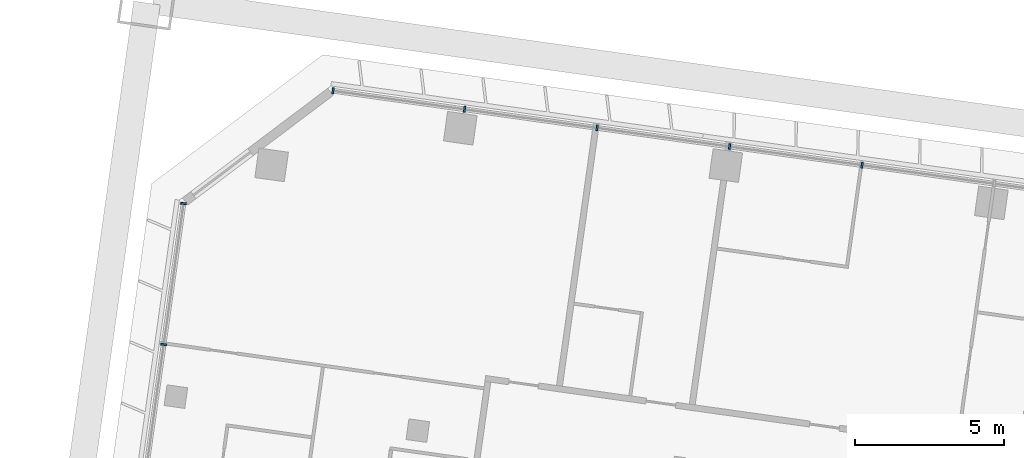
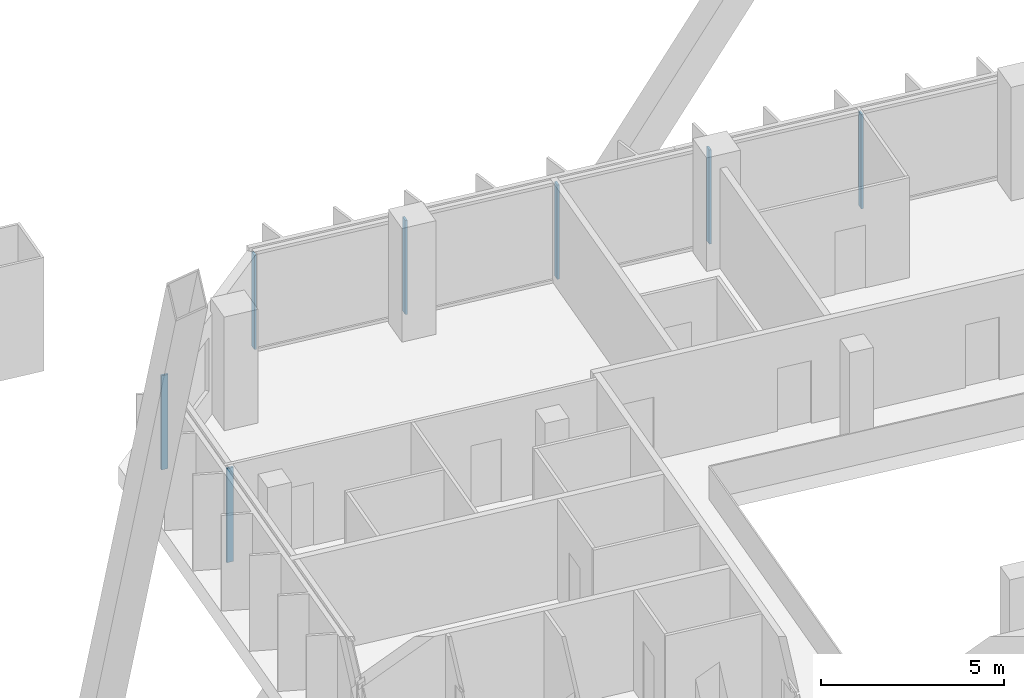
# One storey, part 8 of 49: 7 members, 2 elements without a shape of their own.
"""IFC4 building model written with IfcOpenShell, lengths in metres."""

from ifc_helpers import new_model, si_unit, direction, frame, origin, origin_2d, place, context, subcontext, project, spatial, rectangle, extrude, material, material_profile, profile_set, type_object, element, aggregate, save


model = new_model("IFC4")

# Units and contexts
model_context = context("Model", 3, precision=1e-05, world=origin(), true_north=direction((0.0, 1.0)))
body_context = subcontext(model_context, "Body", "Model", "MODEL_VIEW")
ifc_project = project(units=[si_unit("LENGTHUNIT", "METRE"), si_unit("AREAUNIT", "SQUARE_METRE"), si_unit("VOLUMEUNIT", "CUBIC_METRE"), si_unit("PLANEANGLEUNIT", "RADIAN"), si_unit("MASSUNIT", "GRAM", prefix="KILO")], contexts=[model_context])

# Site, building, storey
site_placement = place(None, origin())
site = spatial("IfcSite", under=ifc_project, at=site_placement, CompositionType="ELEMENT")
building_placement = place(site_placement, origin())
building = spatial("IfcBuilding", under=site, at=building_placement, Name="Mirante Cascada Hotel Towers", CompositionType="ELEMENT")
storey_placement = place(building_placement, frame((0.0, 0.0, 66.1)))
storey = spatial("IfcBuildingStorey", under=building, at=storey_placement, Name="L13", CompositionType="ELEMENT", Elevation=66.1)

# Curtain wall, members
ifc_material_1 = material(Name="Aluminium mullion and transom frame with clear laminated glass", Category="aluminium")
curtain_wall_type_1 = type_object("IfcCurtainWallType", Name="Ribbon curtain wall ECW1", PredefinedType="NOTDEFINED", material=ifc_material_1)
curtain_wall_1_placement = place(storey_placement, origin())
curtain_wall_1 = element("IfcCurtainWall", 1, at=curtain_wall_1_placement, inside=storey, type_object=curtain_wall_type_1, Name="Front ribbon wall T1 L13", PredefinedType="NOTDEFINED")
ifc_material_2 = material(Name="Anodised aluminium extrusion", Category="aluminium")
ifc_material_profile_1 = material_profile(ifc_material_2, rectangle(XDim=0.2, YDim=0.065, at=origin_2d()), Name="ECW1 MULLION 65x200")
ifc_profile_set_1 = profile_set([ifc_material_profile_1], Name="Anodised aluminium extrusion")
member_type_1 = type_object("IfcMemberType", Name="ECW1 mullion 65x200", PredefinedType="MULLION", material=ifc_profile_set_1)
member_1_placement = place(storey_placement, frame((-94.126, 26.0476, 0.1), z_axis=(0.0, 0.0, 1.0), x_axis=(0.1391731, 0.9902681, 0.0)))
member_1 = element("IfcMember", 2, at=member_1_placement, type_object=member_type_1, Name="ECW1 mullion 1", PredefinedType="MULLION", context=body_context, shape_type="SweptSolid", body=[
    extrude(rectangle(XDim=0.2, YDim=0.065, at=origin_2d()), origin(), (0.0, 0.0, 1.0), 3.15),
])
member_2_placement = place(storey_placement, frame((-89.7107, 25.427, 0.1), z_axis=(0.0, 0.0, 1.0), x_axis=(0.1391731, 0.9902681, 0.0)))
member_2 = element("IfcMember", 3, at=member_2_placement, type_object=member_type_1, Name="ECW1 mullion 2", PredefinedType="MULLION", context=body_context, shape_type="SweptSolid", body=[
    extrude(rectangle(XDim=0.2, YDim=0.065, at=origin_2d()), origin(), (0.0, 0.0, 1.0), 3.15),
])
member_3_placement = place(storey_placement, frame((-85.2633, 24.802, 0.1), z_axis=(0.0, 0.0, 1.0), x_axis=(0.1391731, 0.9902681, 0.0)))
member_3 = element("IfcMember", 4, at=member_3_placement, type_object=member_type_1, Name="ECW1 mullion 3", PredefinedType="MULLION", context=body_context, shape_type="SweptSolid", body=[
    extrude(rectangle(XDim=0.2, YDim=0.065, at=origin_2d()), origin(), (0.0, 0.0, 1.0), 3.15),
])
member_4_placement = place(storey_placement, frame((-80.8159, 24.177, 0.1), z_axis=(0.0, 0.0, 1.0), x_axis=(0.1391731, 0.9902681, 0.0)))
member_4 = element("IfcMember", 5, at=member_4_placement, type_object=member_type_1, Name="ECW1 mullion 4", PredefinedType="MULLION", context=body_context, shape_type="SweptSolid", body=[
    extrude(rectangle(XDim=0.2, YDim=0.065, at=origin_2d()), origin(), (0.0, 0.0, 1.0), 3.15),
])
member_5_placement = place(storey_placement, frame((-76.3685, 23.5519, 0.1), z_axis=(0.0, 0.0, 1.0), x_axis=(0.1391731, 0.9902681, 0.0)))
member_5 = element("IfcMember", 6, at=member_5_placement, type_object=member_type_1, Name="ECW1 mullion 5", PredefinedType="MULLION", context=body_context, shape_type="SweptSolid", body=[
    extrude(rectangle(XDim=0.2, YDim=0.065, at=origin_2d()), origin(), (0.0, 0.0, 1.0), 3.15),
])
aggregate(curtain_wall_1, [member_1, member_2, member_3, member_4, member_5])

ifc_material_3 = material(Name="Aluminium mullion and transom frame with clear laminated glass", Category="aluminium")
curtain_wall_type_2 = type_object("IfcCurtainWallType", Name="End ribbon curtain wall ECW2", PredefinedType="NOTDEFINED", material=ifc_material_3)
curtain_wall_2_placement = place(storey_placement, origin())
curtain_wall_2 = element("IfcCurtainWall", 7, at=curtain_wall_2_placement, inside=storey, type_object=curtain_wall_type_2, Name="Outer end wall T1 L13", PredefinedType="NOTDEFINED")
ifc_material_4 = material(Name="Anodised aluminium extrusion", Category="aluminium")
ifc_material_profile_2 = material_profile(ifc_material_4, rectangle(XDim=0.2, YDim=0.065, at=origin_2d()), Name="ECW2 MULLION 65x200")
ifc_profile_set_2 = profile_set([ifc_material_profile_2], Name="Anodised aluminium extrusion")
member_type_2 = type_object("IfcMemberType", Name="ECW2 mullion 65x200", PredefinedType="MULLION", material=ifc_profile_set_2)
member_6_placement = place(storey_placement, frame((-99.8112, 17.5312, 0.1), z_axis=(0.0, 0.0, 1.0), x_axis=(-0.9902681, 0.1391731, 0.0)))
member_6 = element("IfcMember", 8, at=member_6_placement, type_object=member_type_2, Name="ECW2 mullion 6", PredefinedType="MULLION", context=body_context, shape_type="SweptSolid", body=[
    extrude(rectangle(XDim=0.2, YDim=0.065, at=origin_2d()), origin(), (0.0, 0.0, 1.0), 3.15),
])
member_7_placement = place(storey_placement, frame((-99.1459, 22.2648, 0.1), z_axis=(0.0, 0.0, 1.0), x_axis=(-0.9902681, 0.1391731, 0.0)))
member_7 = element("IfcMember", 9, at=member_7_placement, type_object=member_type_2, Name="ECW2 mullion 7", PredefinedType="MULLION", context=body_context, shape_type="SweptSolid", body=[
    extrude(rectangle(XDim=0.2, YDim=0.065, at=origin_2d()), origin(), (0.0, 0.0, 1.0), 3.15),
])
aggregate(curtain_wall_2, [member_6, member_7])

save(model, "model.ifc")
